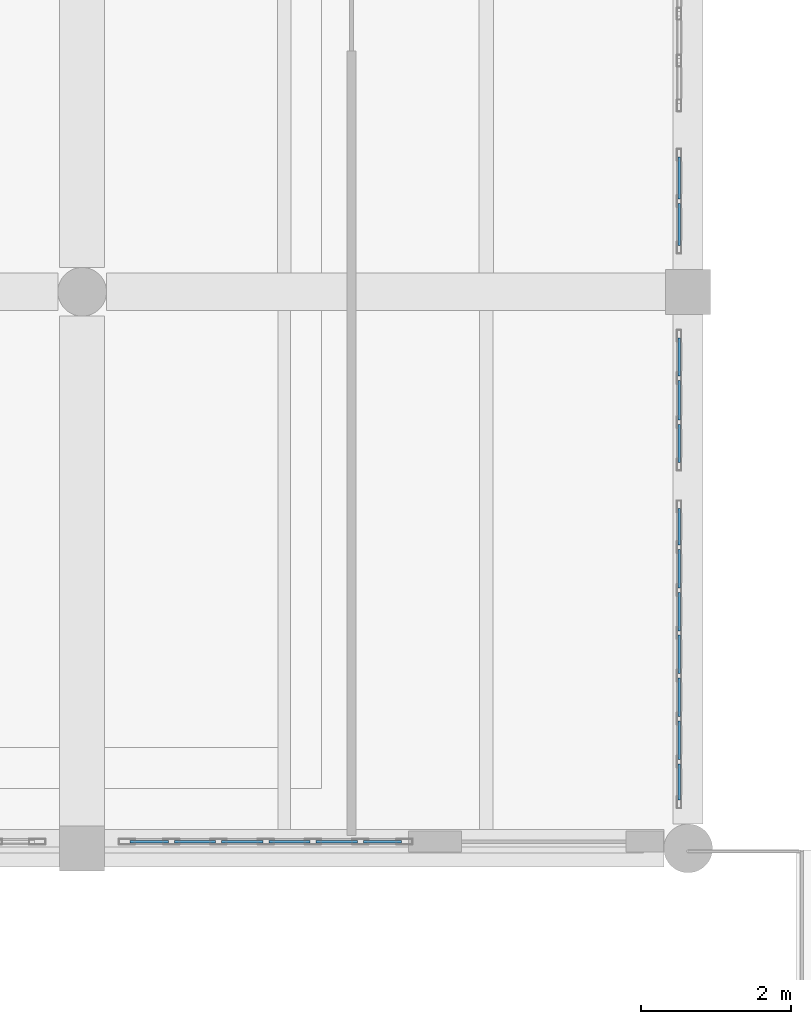
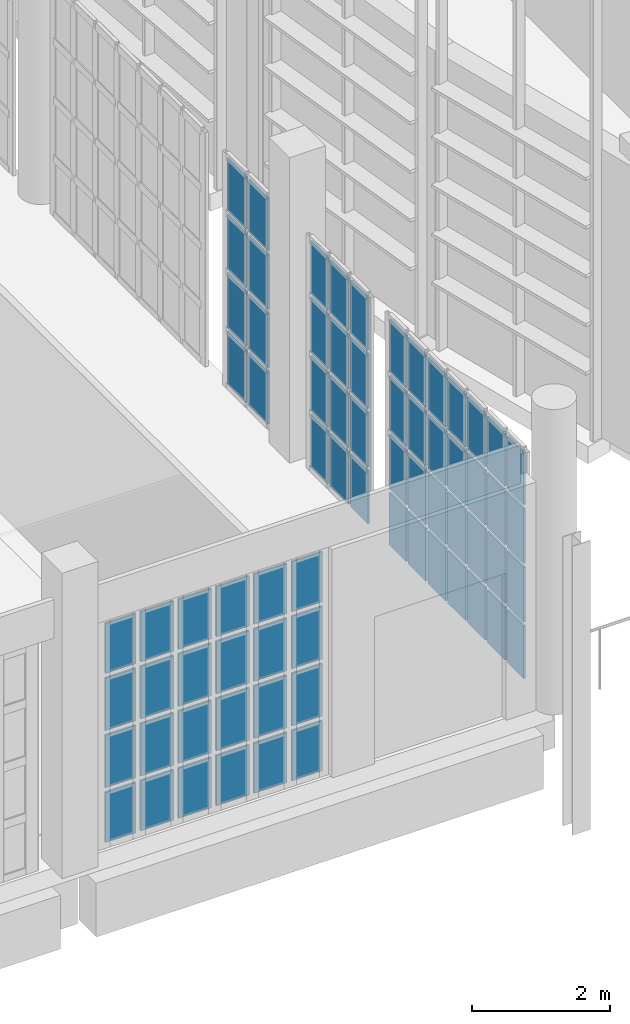
# One storey, part 329 of 372: 72 plates, 4 elements without a shape of their own.
"""IFC4 building model written with IfcOpenShell, lengths in metres."""

from ifc_helpers import new_model, si_unit, direction, frame, origin, origin_2d, place, context, subcontext, project, spatial, rectangle, extrude, material, layer, layer_set, type_object, element, aggregate, save


model = new_model("IFC4")

# Units and contexts
model_context = context("Model", 3, precision=1e-05, world=origin(), true_north=direction((0.0, 1.0)))
body_context = subcontext(model_context, "Body", "Model", "MODEL_VIEW")
ifc_project = project(units=[si_unit("LENGTHUNIT", "METRE"), si_unit("AREAUNIT", "SQUARE_METRE"), si_unit("VOLUMEUNIT", "CUBIC_METRE"), si_unit("PLANEANGLEUNIT", "RADIAN"), si_unit("MASSUNIT", "GRAM", prefix="KILO")], contexts=[model_context])

# Site, building, storey
site_placement = place(None, origin())
site = spatial("IfcSite", under=ifc_project, at=site_placement, CompositionType="ELEMENT")
building_placement = place(site_placement, origin())
building = spatial("IfcBuilding", under=site, at=building_placement, Name="Kaelora Sail Theatre", CompositionType="ELEMENT")
storey_placement = place(building_placement, origin())
storey = spatial("IfcBuildingStorey", under=building, at=storey_placement, Name="L00", CompositionType="ELEMENT", Elevation=0.0)

# Curtain wall, plates
ifc_material_1 = material(Name="Anodised aluminium and solar-control low-E IGU", Category="aluminium")
curtain_wall_type = type_object("IfcCurtainWallType", Name="ARC-CW-CW-FOY1", PredefinedType="NOTDEFINED", material=ifc_material_1)
curtain_wall_1_placement = place(storey_placement, origin())
curtain_wall_1 = element("IfcCurtainWall", 1, at=curtain_wall_1_placement, inside=storey, type_object=curtain_wall_type, Name="West Interstitial Sail Foyer Curtain Wall L00-03", PredefinedType="NOTDEFINED")
ifc_material_2 = material(Name="Solar-control laminated low-E glass", Category="glass")
ifc_layer = layer(ifc_material_2, 0.031982421875)
ifc_layer_set = layer_set([ifc_layer], Name="Solar-control laminated low-E glass")
plate_type = type_object("IfcPlateType", Name="ARC-CW-PNL", PredefinedType="CURTAIN_PANEL", material=ifc_layer_set)
plate_1_placement = place(storey_placement, frame((67.19580078125, 38.7900390625, 0.080078125), z_axis=(0.0, 0.0, 1.0), x_axis=(1.0, 0.0, 0.0)))
plate_1 = element("IfcPlate", 2, at=plate_1_placement, type_object=plate_type, Name="CW-FOY1 panel 1.1", PredefinedType="CURTAIN_PANEL", context=body_context, shape_type="SweptSolid", body=[
    extrude(rectangle(XDim=0.51171875, YDim=0.031982421875, at=origin_2d()), origin(), (0.0, 0.0, 1.0), 0.88916015625),
])
plate_2_placement = place(storey_placement, frame((67.19580078125, 38.7900390625, 1.04931640625), z_axis=(0.0, 0.0, 1.0), x_axis=(1.0, 0.0, 0.0)))
plate_2 = element("IfcPlate", 3, at=plate_2_placement, type_object=plate_type, Name="CW-FOY1 panel 1.2", PredefinedType="CURTAIN_PANEL", context=body_context, shape_type="SweptSolid", body=[
    extrude(rectangle(XDim=0.51171875, YDim=0.031982421875, at=origin_2d()), origin(), (0.0, 0.0, 1.0), 0.92919921875),
])
plate_3_placement = place(storey_placement, frame((67.19580078125, 38.7900390625, 2.05859375), z_axis=(0.0, 0.0, 1.0), x_axis=(1.0, 0.0, 0.0)))
plate_3 = element("IfcPlate", 4, at=plate_3_placement, type_object=plate_type, Name="CW-FOY1 panel 1.3", PredefinedType="CURTAIN_PANEL", context=body_context, shape_type="SweptSolid", body=[
    extrude(rectangle(XDim=0.51171875, YDim=0.031982421875, at=origin_2d()), origin(), (0.0, 0.0, 1.0), 0.92919921875),
])
plate_4_placement = place(storey_placement, frame((67.19580078125, 38.7900390625, 3.06787109375), z_axis=(0.0, 0.0, 1.0), x_axis=(1.0, 0.0, 0.0)))
plate_4 = element("IfcPlate", 5, at=plate_4_placement, type_object=plate_type, Name="CW-FOY1 panel 1.4", PredefinedType="CURTAIN_PANEL", context=body_context, shape_type="SweptSolid", body=[
    extrude(rectangle(XDim=0.51171875, YDim=0.031982421875, at=origin_2d()), origin(), (0.0, 0.0, 1.0), 0.88916015625),
])
plate_5_placement = place(storey_placement, frame((67.8076171875, 38.7900390625, 0.080078125), z_axis=(0.0, 0.0, 1.0), x_axis=(1.0, 0.0, 0.0)))
plate_5 = element("IfcPlate", 6, at=plate_5_placement, type_object=plate_type, Name="CW-FOY1 panel 2.1", PredefinedType="CURTAIN_PANEL", context=body_context, shape_type="SweptSolid", body=[
    extrude(rectangle(XDim=0.5517578125, YDim=0.031982421875, at=origin_2d()), origin(), (0.0, 0.0, 1.0), 0.88916015625),
])
plate_6_placement = place(storey_placement, frame((67.8076171875, 38.7900390625, 1.04931640625), z_axis=(0.0, 0.0, 1.0), x_axis=(1.0, 0.0, 0.0)))
plate_6 = element("IfcPlate", 7, at=plate_6_placement, type_object=plate_type, Name="CW-FOY1 panel 2.2", PredefinedType="CURTAIN_PANEL", context=body_context, shape_type="SweptSolid", body=[
    extrude(rectangle(XDim=0.5517578125, YDim=0.031982421875, at=origin_2d()), origin(), (0.0, 0.0, 1.0), 0.92919921875),
])
plate_7_placement = place(storey_placement, frame((67.8076171875, 38.7900390625, 2.05859375), z_axis=(0.0, 0.0, 1.0), x_axis=(1.0, 0.0, 0.0)))
plate_7 = element("IfcPlate", 8, at=plate_7_placement, type_object=plate_type, Name="CW-FOY1 panel 2.3", PredefinedType="CURTAIN_PANEL", context=body_context, shape_type="SweptSolid", body=[
    extrude(rectangle(XDim=0.5517578125, YDim=0.031982421875, at=origin_2d()), origin(), (0.0, 0.0, 1.0), 0.92919921875),
])
plate_8_placement = place(storey_placement, frame((67.8076171875, 38.7900390625, 3.06787109375), z_axis=(0.0, 0.0, 1.0), x_axis=(1.0, 0.0, 0.0)))
plate_8 = element("IfcPlate", 9, at=plate_8_placement, type_object=plate_type, Name="CW-FOY1 panel 2.4", PredefinedType="CURTAIN_PANEL", context=body_context, shape_type="SweptSolid", body=[
    extrude(rectangle(XDim=0.5517578125, YDim=0.031982421875, at=origin_2d()), origin(), (0.0, 0.0, 1.0), 0.88916015625),
])
plate_9_placement = place(storey_placement, frame((68.439208984375, 38.7900390625, 0.080078125), z_axis=(0.0, 0.0, 1.0), x_axis=(1.0, 0.0, 0.0)))
plate_9 = element("IfcPlate", 10, at=plate_9_placement, type_object=plate_type, Name="CW-FOY1 panel 3.1", PredefinedType="CURTAIN_PANEL", context=body_context, shape_type="SweptSolid", body=[
    extrude(rectangle(XDim=0.5517578125, YDim=0.031982421875, at=origin_2d()), origin(), (0.0, 0.0, 1.0), 0.88916015625),
])
plate_10_placement = place(storey_placement, frame((68.439208984375, 38.7900390625, 1.04931640625), z_axis=(0.0, 0.0, 1.0), x_axis=(1.0, 0.0, 0.0)))
plate_10 = element("IfcPlate", 11, at=plate_10_placement, type_object=plate_type, Name="CW-FOY1 panel 3.2", PredefinedType="CURTAIN_PANEL", context=body_context, shape_type="SweptSolid", body=[
    extrude(rectangle(XDim=0.5517578125, YDim=0.031982421875, at=origin_2d()), origin(), (0.0, 0.0, 1.0), 0.92919921875),
])
plate_11_placement = place(storey_placement, frame((68.439208984375, 38.7900390625, 2.05859375), z_axis=(0.0, 0.0, 1.0), x_axis=(1.0, 0.0, 0.0)))
plate_11 = element("IfcPlate", 12, at=plate_11_placement, type_object=plate_type, Name="CW-FOY1 panel 3.3", PredefinedType="CURTAIN_PANEL", context=body_context, shape_type="SweptSolid", body=[
    extrude(rectangle(XDim=0.5517578125, YDim=0.031982421875, at=origin_2d()), origin(), (0.0, 0.0, 1.0), 0.92919921875),
])
plate_12_placement = place(storey_placement, frame((68.439208984375, 38.7900390625, 3.06787109375), z_axis=(0.0, 0.0, 1.0), x_axis=(1.0, 0.0, 0.0)))
plate_12 = element("IfcPlate", 13, at=plate_12_placement, type_object=plate_type, Name="CW-FOY1 panel 3.4", PredefinedType="CURTAIN_PANEL", context=body_context, shape_type="SweptSolid", body=[
    extrude(rectangle(XDim=0.5517578125, YDim=0.031982421875, at=origin_2d()), origin(), (0.0, 0.0, 1.0), 0.88916015625),
])
plate_13_placement = place(storey_placement, frame((69.07080078125, 38.7900390625, 0.080078125), z_axis=(0.0, 0.0, 1.0), x_axis=(1.0, 0.0, 0.0)))
plate_13 = element("IfcPlate", 14, at=plate_13_placement, type_object=plate_type, Name="CW-FOY1 panel 4.1", PredefinedType="CURTAIN_PANEL", context=body_context, shape_type="SweptSolid", body=[
    extrude(rectangle(XDim=0.5517578125, YDim=0.031982421875, at=origin_2d()), origin(), (0.0, 0.0, 1.0), 0.88916015625),
])
plate_14_placement = place(storey_placement, frame((69.07080078125, 38.7900390625, 1.04931640625), z_axis=(0.0, 0.0, 1.0), x_axis=(1.0, 0.0, 0.0)))
plate_14 = element("IfcPlate", 15, at=plate_14_placement, type_object=plate_type, Name="CW-FOY1 panel 4.2", PredefinedType="CURTAIN_PANEL", context=body_context, shape_type="SweptSolid", body=[
    extrude(rectangle(XDim=0.5517578125, YDim=0.031982421875, at=origin_2d()), origin(), (0.0, 0.0, 1.0), 0.92919921875),
])
plate_15_placement = place(storey_placement, frame((69.07080078125, 38.7900390625, 2.05859375), z_axis=(0.0, 0.0, 1.0), x_axis=(1.0, 0.0, 0.0)))
plate_15 = element("IfcPlate", 16, at=plate_15_placement, type_object=plate_type, Name="CW-FOY1 panel 4.3", PredefinedType="CURTAIN_PANEL", context=body_context, shape_type="SweptSolid", body=[
    extrude(rectangle(XDim=0.5517578125, YDim=0.031982421875, at=origin_2d()), origin(), (0.0, 0.0, 1.0), 0.92919921875),
])
plate_16_placement = place(storey_placement, frame((69.07080078125, 38.7900390625, 3.06787109375), z_axis=(0.0, 0.0, 1.0), x_axis=(1.0, 0.0, 0.0)))
plate_16 = element("IfcPlate", 17, at=plate_16_placement, type_object=plate_type, Name="CW-FOY1 panel 4.4", PredefinedType="CURTAIN_PANEL", context=body_context, shape_type="SweptSolid", body=[
    extrude(rectangle(XDim=0.5517578125, YDim=0.031982421875, at=origin_2d()), origin(), (0.0, 0.0, 1.0), 0.88916015625),
])
plate_17_placement = place(storey_placement, frame((69.702392578125, 38.7900390625, 0.080078125), z_axis=(0.0, 0.0, 1.0), x_axis=(1.0, 0.0, 0.0)))
plate_17 = element("IfcPlate", 18, at=plate_17_placement, type_object=plate_type, Name="CW-FOY1 panel 5.1", PredefinedType="CURTAIN_PANEL", context=body_context, shape_type="SweptSolid", body=[
    extrude(rectangle(XDim=0.5517578125, YDim=0.031982421875, at=origin_2d()), origin(), (0.0, 0.0, 1.0), 0.88916015625),
])
plate_18_placement = place(storey_placement, frame((69.702392578125, 38.7900390625, 1.04931640625), z_axis=(0.0, 0.0, 1.0), x_axis=(1.0, 0.0, 0.0)))
plate_18 = element("IfcPlate", 19, at=plate_18_placement, type_object=plate_type, Name="CW-FOY1 panel 5.2", PredefinedType="CURTAIN_PANEL", context=body_context, shape_type="SweptSolid", body=[
    extrude(rectangle(XDim=0.5517578125, YDim=0.031982421875, at=origin_2d()), origin(), (0.0, 0.0, 1.0), 0.92919921875),
])
plate_19_placement = place(storey_placement, frame((69.702392578125, 38.7900390625, 2.05859375), z_axis=(0.0, 0.0, 1.0), x_axis=(1.0, 0.0, 0.0)))
plate_19 = element("IfcPlate", 20, at=plate_19_placement, type_object=plate_type, Name="CW-FOY1 panel 5.3", PredefinedType="CURTAIN_PANEL", context=body_context, shape_type="SweptSolid", body=[
    extrude(rectangle(XDim=0.5517578125, YDim=0.031982421875, at=origin_2d()), origin(), (0.0, 0.0, 1.0), 0.92919921875),
])
plate_20_placement = place(storey_placement, frame((69.702392578125, 38.7900390625, 3.06787109375), z_axis=(0.0, 0.0, 1.0), x_axis=(1.0, 0.0, 0.0)))
plate_20 = element("IfcPlate", 21, at=plate_20_placement, type_object=plate_type, Name="CW-FOY1 panel 5.4", PredefinedType="CURTAIN_PANEL", context=body_context, shape_type="SweptSolid", body=[
    extrude(rectangle(XDim=0.5517578125, YDim=0.031982421875, at=origin_2d()), origin(), (0.0, 0.0, 1.0), 0.88916015625),
])
plate_21_placement = place(storey_placement, frame((70.314208984375, 38.7900390625, 0.080078125), z_axis=(0.0, 0.0, 1.0), x_axis=(1.0, 0.0, 0.0)))
plate_21 = element("IfcPlate", 22, at=plate_21_placement, type_object=plate_type, Name="CW-FOY1 panel 6.1", PredefinedType="CURTAIN_PANEL", context=body_context, shape_type="SweptSolid", body=[
    extrude(rectangle(XDim=0.51171875, YDim=0.031982421875, at=origin_2d()), origin(), (0.0, 0.0, 1.0), 0.88916015625),
])
plate_22_placement = place(storey_placement, frame((70.314208984375, 38.7900390625, 1.04931640625), z_axis=(0.0, 0.0, 1.0), x_axis=(1.0, 0.0, 0.0)))
plate_22 = element("IfcPlate", 23, at=plate_22_placement, type_object=plate_type, Name="CW-FOY1 panel 6.2", PredefinedType="CURTAIN_PANEL", context=body_context, shape_type="SweptSolid", body=[
    extrude(rectangle(XDim=0.51171875, YDim=0.031982421875, at=origin_2d()), origin(), (0.0, 0.0, 1.0), 0.92919921875),
])
plate_23_placement = place(storey_placement, frame((70.314208984375, 38.7900390625, 2.05859375), z_axis=(0.0, 0.0, 1.0), x_axis=(1.0, 0.0, 0.0)))
plate_23 = element("IfcPlate", 24, at=plate_23_placement, type_object=plate_type, Name="CW-FOY1 panel 6.3", PredefinedType="CURTAIN_PANEL", context=body_context, shape_type="SweptSolid", body=[
    extrude(rectangle(XDim=0.51171875, YDim=0.031982421875, at=origin_2d()), origin(), (0.0, 0.0, 1.0), 0.92919921875),
])
plate_24_placement = place(storey_placement, frame((70.314208984375, 38.7900390625, 3.06787109375), z_axis=(0.0, 0.0, 1.0), x_axis=(1.0, 0.0, 0.0)))
plate_24 = element("IfcPlate", 25, at=plate_24_placement, type_object=plate_type, Name="CW-FOY1 panel 6.4", PredefinedType="CURTAIN_PANEL", context=body_context, shape_type="SweptSolid", body=[
    extrude(rectangle(XDim=0.51171875, YDim=0.031982421875, at=origin_2d()), origin(), (0.0, 0.0, 1.0), 0.88916015625),
])
aggregate(curtain_wall_1, [plate_1, plate_2, plate_3, plate_4, plate_5, plate_6, plate_7, plate_8, plate_9, plate_10, plate_11, plate_12, plate_13, plate_14, plate_15, plate_16, plate_17, plate_18, plate_19, plate_20, plate_21, plate_22, plate_23, plate_24])

curtain_wall_2_placement = place(storey_placement, origin())
curtain_wall_2 = element("IfcCurtainWall", 26, at=curtain_wall_2_placement, inside=storey, type_object=curtain_wall_type, Name="West Interstitial Foyer East Glazed Return L00-01", PredefinedType="NOTDEFINED")
plate_25_placement = place(storey_placement, frame((74.280029296875, 39.586669921875, 0.070068359375), z_axis=(0.0, 0.0, 1.0), x_axis=(0.0, 1.0, 0.0)))
plate_25 = element("IfcPlate", 27, at=plate_25_placement, type_object=plate_type, Name="CW-FOY1 panel 1.1", PredefinedType="CURTAIN_PANEL", context=body_context, shape_type="SweptSolid", body=[
    extrude(rectangle(XDim=0.483642578125, YDim=0.031982421875, at=origin_2d()), origin(), (0.0, 0.0, 1.0), 0.92919921875),
])
plate_26_placement = place(storey_placement, frame((74.280029296875, 39.586669921875, 1.069091796875), z_axis=(0.0, 0.0, 1.0), x_axis=(0.0, 1.0, 0.0)))
plate_26 = element("IfcPlate", 28, at=plate_26_placement, type_object=plate_type, Name="CW-FOY1 panel 1.2", PredefinedType="CURTAIN_PANEL", context=body_context, shape_type="SweptSolid", body=[
    extrude(rectangle(XDim=0.483642578125, YDim=0.031982421875, at=origin_2d()), origin(), (0.0, 0.0, 1.0), 0.96435546875),
])
plate_27_placement = place(storey_placement, frame((74.280029296875, 39.586669921875, 2.103515625), z_axis=(0.0, 0.0, 1.0), x_axis=(0.0, 1.0, 0.0)))
plate_27 = element("IfcPlate", 29, at=plate_27_placement, type_object=plate_type, Name="CW-FOY1 panel 1.3", PredefinedType="CURTAIN_PANEL", context=body_context, shape_type="SweptSolid", body=[
    extrude(rectangle(XDim=0.483642578125, YDim=0.031982421875, at=origin_2d()), origin(), (0.0, 0.0, 1.0), 0.964111328125),
])
plate_28_placement = place(storey_placement, frame((74.280029296875, 39.586669921875, 3.1376953125), z_axis=(0.0, 0.0, 1.0), x_axis=(0.0, 1.0, 0.0)))
plate_28 = element("IfcPlate", 30, at=plate_28_placement, type_object=plate_type, Name="CW-FOY1 panel 1.4", PredefinedType="CURTAIN_PANEL", context=body_context, shape_type="SweptSolid", body=[
    extrude(rectangle(XDim=0.483642578125, YDim=0.031982421875, at=origin_2d()), origin(), (0.0, 0.0, 1.0), 0.92919921875),
])
plate_29_placement = place(storey_placement, frame((74.280029296875, 40.145263671875, 0.070068359375), z_axis=(0.0, 0.0, 1.0), x_axis=(0.0, 1.0, 0.0)))
plate_29 = element("IfcPlate", 31, at=plate_29_placement, type_object=plate_type, Name="CW-FOY1 panel 2.1", PredefinedType="CURTAIN_PANEL", context=body_context, shape_type="SweptSolid", body=[
    extrude(rectangle(XDim=0.513671875, YDim=0.031982421875, at=origin_2d()), origin(), (0.0, 0.0, 1.0), 0.92919921875),
])
plate_30_placement = place(storey_placement, frame((74.280029296875, 40.145263671875, 1.069091796875), z_axis=(0.0, 0.0, 1.0), x_axis=(0.0, 1.0, 0.0)))
plate_30 = element("IfcPlate", 32, at=plate_30_placement, type_object=plate_type, Name="CW-FOY1 panel 2.2", PredefinedType="CURTAIN_PANEL", context=body_context, shape_type="SweptSolid", body=[
    extrude(rectangle(XDim=0.513671875, YDim=0.031982421875, at=origin_2d()), origin(), (0.0, 0.0, 1.0), 0.96435546875),
])
plate_31_placement = place(storey_placement, frame((74.280029296875, 40.145263671875, 2.103515625), z_axis=(0.0, 0.0, 1.0), x_axis=(0.0, 1.0, 0.0)))
plate_31 = element("IfcPlate", 33, at=plate_31_placement, type_object=plate_type, Name="CW-FOY1 panel 2.3", PredefinedType="CURTAIN_PANEL", context=body_context, shape_type="SweptSolid", body=[
    extrude(rectangle(XDim=0.513671875, YDim=0.031982421875, at=origin_2d()), origin(), (0.0, 0.0, 1.0), 0.964111328125),
])
plate_32_placement = place(storey_placement, frame((74.280029296875, 40.145263671875, 3.1376953125), z_axis=(0.0, 0.0, 1.0), x_axis=(0.0, 1.0, 0.0)))
plate_32 = element("IfcPlate", 34, at=plate_32_placement, type_object=plate_type, Name="CW-FOY1 panel 2.4", PredefinedType="CURTAIN_PANEL", context=body_context, shape_type="SweptSolid", body=[
    extrude(rectangle(XDim=0.513671875, YDim=0.031982421875, at=origin_2d()), origin(), (0.0, 0.0, 1.0), 0.92919921875),
])
plate_33_placement = place(storey_placement, frame((74.280029296875, 40.718994140625, 0.070068359375), z_axis=(0.0, 0.0, 1.0), x_axis=(0.0, 1.0, 0.0)))
plate_33 = element("IfcPlate", 35, at=plate_33_placement, type_object=plate_type, Name="CW-FOY1 panel 3.1", PredefinedType="CURTAIN_PANEL", context=body_context, shape_type="SweptSolid", body=[
    extrude(rectangle(XDim=0.513671875, YDim=0.031982421875, at=origin_2d()), origin(), (0.0, 0.0, 1.0), 0.92919921875),
])
plate_34_placement = place(storey_placement, frame((74.280029296875, 40.718994140625, 1.069091796875), z_axis=(0.0, 0.0, 1.0), x_axis=(0.0, 1.0, 0.0)))
plate_34 = element("IfcPlate", 36, at=plate_34_placement, type_object=plate_type, Name="CW-FOY1 panel 3.2", PredefinedType="CURTAIN_PANEL", context=body_context, shape_type="SweptSolid", body=[
    extrude(rectangle(XDim=0.513671875, YDim=0.031982421875, at=origin_2d()), origin(), (0.0, 0.0, 1.0), 0.96435546875),
])
plate_35_placement = place(storey_placement, frame((74.280029296875, 40.718994140625, 2.103515625), z_axis=(0.0, 0.0, 1.0), x_axis=(0.0, 1.0, 0.0)))
plate_35 = element("IfcPlate", 37, at=plate_35_placement, type_object=plate_type, Name="CW-FOY1 panel 3.3", PredefinedType="CURTAIN_PANEL", context=body_context, shape_type="SweptSolid", body=[
    extrude(rectangle(XDim=0.513671875, YDim=0.031982421875, at=origin_2d()), origin(), (0.0, 0.0, 1.0), 0.964111328125),
])
plate_36_placement = place(storey_placement, frame((74.280029296875, 40.718994140625, 3.1376953125), z_axis=(0.0, 0.0, 1.0), x_axis=(0.0, 1.0, 0.0)))
plate_36 = element("IfcPlate", 38, at=plate_36_placement, type_object=plate_type, Name="CW-FOY1 panel 3.4", PredefinedType="CURTAIN_PANEL", context=body_context, shape_type="SweptSolid", body=[
    extrude(rectangle(XDim=0.513671875, YDim=0.031982421875, at=origin_2d()), origin(), (0.0, 0.0, 1.0), 0.92919921875),
])
plate_37_placement = place(storey_placement, frame((74.280029296875, 41.29248046875, 0.070068359375), z_axis=(0.0, 0.0, 1.0), x_axis=(0.0, 1.0, 0.0)))
plate_37 = element("IfcPlate", 39, at=plate_37_placement, type_object=plate_type, Name="CW-FOY1 panel 4.1", PredefinedType="CURTAIN_PANEL", context=body_context, shape_type="SweptSolid", body=[
    extrude(rectangle(XDim=0.513671875, YDim=0.031982421875, at=origin_2d()), origin(), (0.0, 0.0, 1.0), 0.92919921875),
])
plate_38_placement = place(storey_placement, frame((74.280029296875, 41.29248046875, 1.069091796875), z_axis=(0.0, 0.0, 1.0), x_axis=(0.0, 1.0, 0.0)))
plate_38 = element("IfcPlate", 40, at=plate_38_placement, type_object=plate_type, Name="CW-FOY1 panel 4.2", PredefinedType="CURTAIN_PANEL", context=body_context, shape_type="SweptSolid", body=[
    extrude(rectangle(XDim=0.513671875, YDim=0.031982421875, at=origin_2d()), origin(), (0.0, 0.0, 1.0), 0.96435546875),
])
plate_39_placement = place(storey_placement, frame((74.280029296875, 41.29248046875, 2.103515625), z_axis=(0.0, 0.0, 1.0), x_axis=(0.0, 1.0, 0.0)))
plate_39 = element("IfcPlate", 41, at=plate_39_placement, type_object=plate_type, Name="CW-FOY1 panel 4.3", PredefinedType="CURTAIN_PANEL", context=body_context, shape_type="SweptSolid", body=[
    extrude(rectangle(XDim=0.513671875, YDim=0.031982421875, at=origin_2d()), origin(), (0.0, 0.0, 1.0), 0.964111328125),
])
plate_40_placement = place(storey_placement, frame((74.280029296875, 41.29248046875, 3.1376953125), z_axis=(0.0, 0.0, 1.0), x_axis=(0.0, 1.0, 0.0)))
plate_40 = element("IfcPlate", 42, at=plate_40_placement, type_object=plate_type, Name="CW-FOY1 panel 4.4", PredefinedType="CURTAIN_PANEL", context=body_context, shape_type="SweptSolid", body=[
    extrude(rectangle(XDim=0.513671875, YDim=0.031982421875, at=origin_2d()), origin(), (0.0, 0.0, 1.0), 0.92919921875),
])
plate_41_placement = place(storey_placement, frame((74.280029296875, 41.865966796875, 0.070068359375), z_axis=(0.0, 0.0, 1.0), x_axis=(0.0, 1.0, 0.0)))
plate_41 = element("IfcPlate", 43, at=plate_41_placement, type_object=plate_type, Name="CW-FOY1 panel 5.1", PredefinedType="CURTAIN_PANEL", context=body_context, shape_type="SweptSolid", body=[
    extrude(rectangle(XDim=0.513671875, YDim=0.031982421875, at=origin_2d()), origin(), (0.0, 0.0, 1.0), 0.92919921875),
])
plate_42_placement = place(storey_placement, frame((74.280029296875, 41.865966796875, 1.069091796875), z_axis=(0.0, 0.0, 1.0), x_axis=(0.0, 1.0, 0.0)))
plate_42 = element("IfcPlate", 44, at=plate_42_placement, type_object=plate_type, Name="CW-FOY1 panel 5.2", PredefinedType="CURTAIN_PANEL", context=body_context, shape_type="SweptSolid", body=[
    extrude(rectangle(XDim=0.513671875, YDim=0.031982421875, at=origin_2d()), origin(), (0.0, 0.0, 1.0), 0.96435546875),
])
plate_43_placement = place(storey_placement, frame((74.280029296875, 41.865966796875, 2.103515625), z_axis=(0.0, 0.0, 1.0), x_axis=(0.0, 1.0, 0.0)))
plate_43 = element("IfcPlate", 45, at=plate_43_placement, type_object=plate_type, Name="CW-FOY1 panel 5.3", PredefinedType="CURTAIN_PANEL", context=body_context, shape_type="SweptSolid", body=[
    extrude(rectangle(XDim=0.513671875, YDim=0.031982421875, at=origin_2d()), origin(), (0.0, 0.0, 1.0), 0.964111328125),
])
plate_44_placement = place(storey_placement, frame((74.280029296875, 41.865966796875, 3.1376953125), z_axis=(0.0, 0.0, 1.0), x_axis=(0.0, 1.0, 0.0)))
plate_44 = element("IfcPlate", 46, at=plate_44_placement, type_object=plate_type, Name="CW-FOY1 panel 5.4", PredefinedType="CURTAIN_PANEL", context=body_context, shape_type="SweptSolid", body=[
    extrude(rectangle(XDim=0.513671875, YDim=0.031982421875, at=origin_2d()), origin(), (0.0, 0.0, 1.0), 0.92919921875),
])
plate_45_placement = place(storey_placement, frame((74.280029296875, 42.439697265625, 0.070068359375), z_axis=(0.0, 0.0, 1.0), x_axis=(0.0, 1.0, 0.0)))
plate_45 = element("IfcPlate", 47, at=plate_45_placement, type_object=plate_type, Name="CW-FOY1 panel 6.1", PredefinedType="CURTAIN_PANEL", context=body_context, shape_type="SweptSolid", body=[
    extrude(rectangle(XDim=0.513671875, YDim=0.031982421875, at=origin_2d()), origin(), (0.0, 0.0, 1.0), 0.92919921875),
])
plate_46_placement = place(storey_placement, frame((74.280029296875, 42.439697265625, 1.069091796875), z_axis=(0.0, 0.0, 1.0), x_axis=(0.0, 1.0, 0.0)))
plate_46 = element("IfcPlate", 48, at=plate_46_placement, type_object=plate_type, Name="CW-FOY1 panel 6.2", PredefinedType="CURTAIN_PANEL", context=body_context, shape_type="SweptSolid", body=[
    extrude(rectangle(XDim=0.513671875, YDim=0.031982421875, at=origin_2d()), origin(), (0.0, 0.0, 1.0), 0.96435546875),
])
plate_47_placement = place(storey_placement, frame((74.280029296875, 42.439697265625, 2.103515625), z_axis=(0.0, 0.0, 1.0), x_axis=(0.0, 1.0, 0.0)))
plate_47 = element("IfcPlate", 49, at=plate_47_placement, type_object=plate_type, Name="CW-FOY1 panel 6.3", PredefinedType="CURTAIN_PANEL", context=body_context, shape_type="SweptSolid", body=[
    extrude(rectangle(XDim=0.513671875, YDim=0.031982421875, at=origin_2d()), origin(), (0.0, 0.0, 1.0), 0.964111328125),
])
plate_48_placement = place(storey_placement, frame((74.280029296875, 42.439697265625, 3.1376953125), z_axis=(0.0, 0.0, 1.0), x_axis=(0.0, 1.0, 0.0)))
plate_48 = element("IfcPlate", 50, at=plate_48_placement, type_object=plate_type, Name="CW-FOY1 panel 6.4", PredefinedType="CURTAIN_PANEL", context=body_context, shape_type="SweptSolid", body=[
    extrude(rectangle(XDim=0.513671875, YDim=0.031982421875, at=origin_2d()), origin(), (0.0, 0.0, 1.0), 0.92919921875),
])
plate_49_placement = place(storey_placement, frame((74.280029296875, 42.998291015625, 0.070068359375), z_axis=(0.0, 0.0, 1.0), x_axis=(0.0, 1.0, 0.0)))
plate_49 = element("IfcPlate", 51, at=plate_49_placement, type_object=plate_type, Name="CW-FOY1 panel 7.1", PredefinedType="CURTAIN_PANEL", context=body_context, shape_type="SweptSolid", body=[
    extrude(rectangle(XDim=0.483642578125, YDim=0.031982421875, at=origin_2d()), origin(), (0.0, 0.0, 1.0), 0.92919921875),
])
plate_50_placement = place(storey_placement, frame((74.280029296875, 42.998291015625, 1.069091796875), z_axis=(0.0, 0.0, 1.0), x_axis=(0.0, 1.0, 0.0)))
plate_50 = element("IfcPlate", 52, at=plate_50_placement, type_object=plate_type, Name="CW-FOY1 panel 7.2", PredefinedType="CURTAIN_PANEL", context=body_context, shape_type="SweptSolid", body=[
    extrude(rectangle(XDim=0.483642578125, YDim=0.031982421875, at=origin_2d()), origin(), (0.0, 0.0, 1.0), 0.96435546875),
])
plate_51_placement = place(storey_placement, frame((74.280029296875, 42.998291015625, 2.103515625), z_axis=(0.0, 0.0, 1.0), x_axis=(0.0, 1.0, 0.0)))
plate_51 = element("IfcPlate", 53, at=plate_51_placement, type_object=plate_type, Name="CW-FOY1 panel 7.3", PredefinedType="CURTAIN_PANEL", context=body_context, shape_type="SweptSolid", body=[
    extrude(rectangle(XDim=0.483642578125, YDim=0.031982421875, at=origin_2d()), origin(), (0.0, 0.0, 1.0), 0.964111328125),
])
plate_52_placement = place(storey_placement, frame((74.280029296875, 42.998291015625, 3.1376953125), z_axis=(0.0, 0.0, 1.0), x_axis=(0.0, 1.0, 0.0)))
plate_52 = element("IfcPlate", 54, at=plate_52_placement, type_object=plate_type, Name="CW-FOY1 panel 7.4", PredefinedType="CURTAIN_PANEL", context=body_context, shape_type="SweptSolid", body=[
    extrude(rectangle(XDim=0.483642578125, YDim=0.031982421875, at=origin_2d()), origin(), (0.0, 0.0, 1.0), 0.92919921875),
])
aggregate(curtain_wall_2, [plate_25, plate_26, plate_27, plate_28, plate_29, plate_30, plate_31, plate_32, plate_33, plate_34, plate_35, plate_36, plate_37, plate_38, plate_39, plate_40, plate_41, plate_42, plate_43, plate_44, plate_45, plate_46, plate_47, plate_48, plate_49, plate_50, plate_51, plate_52])

curtain_wall_3_placement = place(storey_placement, origin())
curtain_wall_3 = element("IfcCurtainWall", 55, at=curtain_wall_3_placement, inside=storey, type_object=curtain_wall_type, Name="West Interstitial Foyer East Glazed Return L00-02", PredefinedType="NOTDEFINED")
plate_53_placement = place(storey_placement, frame((74.280029296875, 44.111572265625, 0.070068359375), z_axis=(0.0, 0.0, 1.0), x_axis=(0.0, 1.0, 0.0)))
plate_53 = element("IfcPlate", 56, at=plate_53_placement, type_object=plate_type, Name="CW-FOY1 panel 1.1", PredefinedType="CURTAIN_PANEL", context=body_context, shape_type="SweptSolid", body=[
    extrude(rectangle(XDim=0.50341796875, YDim=0.031982421875, at=origin_2d()), origin(), (0.0, 0.0, 1.0), 0.92919921875),
])
plate_54_placement = place(storey_placement, frame((74.280029296875, 44.111572265625, 1.069091796875), z_axis=(0.0, 0.0, 1.0), x_axis=(0.0, 1.0, 0.0)))
plate_54 = element("IfcPlate", 57, at=plate_54_placement, type_object=plate_type, Name="CW-FOY1 panel 1.2", PredefinedType="CURTAIN_PANEL", context=body_context, shape_type="SweptSolid", body=[
    extrude(rectangle(XDim=0.50341796875, YDim=0.031982421875, at=origin_2d()), origin(), (0.0, 0.0, 1.0), 0.96435546875),
])
plate_55_placement = place(storey_placement, frame((74.280029296875, 44.111572265625, 2.103515625), z_axis=(0.0, 0.0, 1.0), x_axis=(0.0, 1.0, 0.0)))
plate_55 = element("IfcPlate", 58, at=plate_55_placement, type_object=plate_type, Name="CW-FOY1 panel 1.3", PredefinedType="CURTAIN_PANEL", context=body_context, shape_type="SweptSolid", body=[
    extrude(rectangle(XDim=0.50341796875, YDim=0.031982421875, at=origin_2d()), origin(), (0.0, 0.0, 1.0), 0.964111328125),
])
plate_56_placement = place(storey_placement, frame((74.280029296875, 44.111572265625, 3.1376953125), z_axis=(0.0, 0.0, 1.0), x_axis=(0.0, 1.0, 0.0)))
plate_56 = element("IfcPlate", 59, at=plate_56_placement, type_object=plate_type, Name="CW-FOY1 panel 1.4", PredefinedType="CURTAIN_PANEL", context=body_context, shape_type="SweptSolid", body=[
    extrude(rectangle(XDim=0.50341796875, YDim=0.031982421875, at=origin_2d()), origin(), (0.0, 0.0, 1.0), 0.92919921875),
])
plate_57_placement = place(storey_placement, frame((74.280029296875, 44.68994140625, 0.070068359375), z_axis=(0.0, 0.0, 1.0), x_axis=(0.0, 1.0, 0.0)))
plate_57 = element("IfcPlate", 60, at=plate_57_placement, type_object=plate_type, Name="CW-FOY1 panel 2.1", PredefinedType="CURTAIN_PANEL", context=body_context, shape_type="SweptSolid", body=[
    extrude(rectangle(XDim=0.533447265625, YDim=0.031982421875, at=origin_2d()), origin(), (0.0, 0.0, 1.0), 0.92919921875),
])
plate_58_placement = place(storey_placement, frame((74.280029296875, 44.68994140625, 1.069091796875), z_axis=(0.0, 0.0, 1.0), x_axis=(0.0, 1.0, 0.0)))
plate_58 = element("IfcPlate", 61, at=plate_58_placement, type_object=plate_type, Name="CW-FOY1 panel 2.2", PredefinedType="CURTAIN_PANEL", context=body_context, shape_type="SweptSolid", body=[
    extrude(rectangle(XDim=0.533447265625, YDim=0.031982421875, at=origin_2d()), origin(), (0.0, 0.0, 1.0), 0.96435546875),
])
plate_59_placement = place(storey_placement, frame((74.280029296875, 44.68994140625, 2.103515625), z_axis=(0.0, 0.0, 1.0), x_axis=(0.0, 1.0, 0.0)))
plate_59 = element("IfcPlate", 62, at=plate_59_placement, type_object=plate_type, Name="CW-FOY1 panel 2.3", PredefinedType="CURTAIN_PANEL", context=body_context, shape_type="SweptSolid", body=[
    extrude(rectangle(XDim=0.533447265625, YDim=0.031982421875, at=origin_2d()), origin(), (0.0, 0.0, 1.0), 0.964111328125),
])
plate_60_placement = place(storey_placement, frame((74.280029296875, 44.68994140625, 3.1376953125), z_axis=(0.0, 0.0, 1.0), x_axis=(0.0, 1.0, 0.0)))
plate_60 = element("IfcPlate", 63, at=plate_60_placement, type_object=plate_type, Name="CW-FOY1 panel 2.4", PredefinedType="CURTAIN_PANEL", context=body_context, shape_type="SweptSolid", body=[
    extrude(rectangle(XDim=0.533447265625, YDim=0.031982421875, at=origin_2d()), origin(), (0.0, 0.0, 1.0), 0.92919921875),
])
plate_61_placement = place(storey_placement, frame((74.280029296875, 45.268310546875, 0.070068359375), z_axis=(0.0, 0.0, 1.0), x_axis=(0.0, 1.0, 0.0)))
plate_61 = element("IfcPlate", 64, at=plate_61_placement, type_object=plate_type, Name="CW-FOY1 panel 3.1", PredefinedType="CURTAIN_PANEL", context=body_context, shape_type="SweptSolid", body=[
    extrude(rectangle(XDim=0.50341796875, YDim=0.031982421875, at=origin_2d()), origin(), (0.0, 0.0, 1.0), 0.92919921875),
])
plate_62_placement = place(storey_placement, frame((74.280029296875, 45.268310546875, 1.069091796875), z_axis=(0.0, 0.0, 1.0), x_axis=(0.0, 1.0, 0.0)))
plate_62 = element("IfcPlate", 65, at=plate_62_placement, type_object=plate_type, Name="CW-FOY1 panel 3.2", PredefinedType="CURTAIN_PANEL", context=body_context, shape_type="SweptSolid", body=[
    extrude(rectangle(XDim=0.50341796875, YDim=0.031982421875, at=origin_2d()), origin(), (0.0, 0.0, 1.0), 0.96435546875),
])
plate_63_placement = place(storey_placement, frame((74.280029296875, 45.268310546875, 2.103515625), z_axis=(0.0, 0.0, 1.0), x_axis=(0.0, 1.0, 0.0)))
plate_63 = element("IfcPlate", 66, at=plate_63_placement, type_object=plate_type, Name="CW-FOY1 panel 3.3", PredefinedType="CURTAIN_PANEL", context=body_context, shape_type="SweptSolid", body=[
    extrude(rectangle(XDim=0.50341796875, YDim=0.031982421875, at=origin_2d()), origin(), (0.0, 0.0, 1.0), 0.964111328125),
])
plate_64_placement = place(storey_placement, frame((74.280029296875, 45.268310546875, 3.1376953125), z_axis=(0.0, 0.0, 1.0), x_axis=(0.0, 1.0, 0.0)))
plate_64 = element("IfcPlate", 67, at=plate_64_placement, type_object=plate_type, Name="CW-FOY1 panel 3.4", PredefinedType="CURTAIN_PANEL", context=body_context, shape_type="SweptSolid", body=[
    extrude(rectangle(XDim=0.50341796875, YDim=0.031982421875, at=origin_2d()), origin(), (0.0, 0.0, 1.0), 0.92919921875),
])
aggregate(curtain_wall_3, [plate_53, plate_54, plate_55, plate_56, plate_57, plate_58, plate_59, plate_60, plate_61, plate_62, plate_63, plate_64])

curtain_wall_4_placement = place(storey_placement, origin())
curtain_wall_4 = element("IfcCurtainWall", 68, at=curtain_wall_4_placement, inside=storey, type_object=curtain_wall_type, Name="West Interstitial Foyer East Glazed Return L00-02", PredefinedType="NOTDEFINED")
plate_65_placement = place(storey_placement, frame((74.280029296875, 47.0400390625, 0.070068359375), z_axis=(0.0, 0.0, 1.0), x_axis=(0.0, 1.0, 0.0)))
plate_65 = element("IfcPlate", 69, at=plate_65_placement, type_object=plate_type, Name="CW-FOY1 panel 1.1", PredefinedType="CURTAIN_PANEL", context=body_context, shape_type="SweptSolid", body=[
    extrude(rectangle(XDim=0.56005859375, YDim=0.031982421875, at=origin_2d()), origin(), (0.0, 0.0, 1.0), 0.92919921875),
])
plate_66_placement = place(storey_placement, frame((74.280029296875, 47.0400390625, 1.069091796875), z_axis=(0.0, 0.0, 1.0), x_axis=(0.0, 1.0, 0.0)))
plate_66 = element("IfcPlate", 70, at=plate_66_placement, type_object=plate_type, Name="CW-FOY1 panel 1.2", PredefinedType="CURTAIN_PANEL", context=body_context, shape_type="SweptSolid", body=[
    extrude(rectangle(XDim=0.56005859375, YDim=0.031982421875, at=origin_2d()), origin(), (0.0, 0.0, 1.0), 0.96435546875),
])
plate_67_placement = place(storey_placement, frame((74.280029296875, 47.0400390625, 2.103515625), z_axis=(0.0, 0.0, 1.0), x_axis=(0.0, 1.0, 0.0)))
plate_67 = element("IfcPlate", 71, at=plate_67_placement, type_object=plate_type, Name="CW-FOY1 panel 1.3", PredefinedType="CURTAIN_PANEL", context=body_context, shape_type="SweptSolid", body=[
    extrude(rectangle(XDim=0.56005859375, YDim=0.031982421875, at=origin_2d()), origin(), (0.0, 0.0, 1.0), 0.964111328125),
])
plate_68_placement = place(storey_placement, frame((74.280029296875, 47.0400390625, 3.1376953125), z_axis=(0.0, 0.0, 1.0), x_axis=(0.0, 1.0, 0.0)))
plate_68 = element("IfcPlate", 72, at=plate_68_placement, type_object=plate_type, Name="CW-FOY1 panel 1.4", PredefinedType="CURTAIN_PANEL", context=body_context, shape_type="SweptSolid", body=[
    extrude(rectangle(XDim=0.56005859375, YDim=0.031982421875, at=origin_2d()), origin(), (0.0, 0.0, 1.0), 0.92919921875),
])
plate_69_placement = place(storey_placement, frame((74.280029296875, 47.659912109375, 0.070068359375), z_axis=(0.0, 0.0, 1.0), x_axis=(0.0, 1.0, 0.0)))
plate_69 = element("IfcPlate", 73, at=plate_69_placement, type_object=plate_type, Name="CW-FOY1 panel 2.1", PredefinedType="CURTAIN_PANEL", context=body_context, shape_type="SweptSolid", body=[
    extrude(rectangle(XDim=0.56005859375, YDim=0.031982421875, at=origin_2d()), origin(), (0.0, 0.0, 1.0), 0.92919921875),
])
plate_70_placement = place(storey_placement, frame((74.280029296875, 47.659912109375, 1.069091796875), z_axis=(0.0, 0.0, 1.0), x_axis=(0.0, 1.0, 0.0)))
plate_70 = element("IfcPlate", 74, at=plate_70_placement, type_object=plate_type, Name="CW-FOY1 panel 2.2", PredefinedType="CURTAIN_PANEL", context=body_context, shape_type="SweptSolid", body=[
    extrude(rectangle(XDim=0.56005859375, YDim=0.031982421875, at=origin_2d()), origin(), (0.0, 0.0, 1.0), 0.96435546875),
])
plate_71_placement = place(storey_placement, frame((74.280029296875, 47.659912109375, 2.103515625), z_axis=(0.0, 0.0, 1.0), x_axis=(0.0, 1.0, 0.0)))
plate_71 = element("IfcPlate", 75, at=plate_71_placement, type_object=plate_type, Name="CW-FOY1 panel 2.3", PredefinedType="CURTAIN_PANEL", context=body_context, shape_type="SweptSolid", body=[
    extrude(rectangle(XDim=0.56005859375, YDim=0.031982421875, at=origin_2d()), origin(), (0.0, 0.0, 1.0), 0.964111328125),
])
plate_72_placement = place(storey_placement, frame((74.280029296875, 47.659912109375, 3.1376953125), z_axis=(0.0, 0.0, 1.0), x_axis=(0.0, 1.0, 0.0)))
plate_72 = element("IfcPlate", 76, at=plate_72_placement, type_object=plate_type, Name="CW-FOY1 panel 2.4", PredefinedType="CURTAIN_PANEL", context=body_context, shape_type="SweptSolid", body=[
    extrude(rectangle(XDim=0.56005859375, YDim=0.031982421875, at=origin_2d()), origin(), (0.0, 0.0, 1.0), 0.92919921875),
])
aggregate(curtain_wall_4, [plate_65, plate_66, plate_67, plate_68, plate_69, plate_70, plate_71, plate_72])

save(model, "model.ifc")
